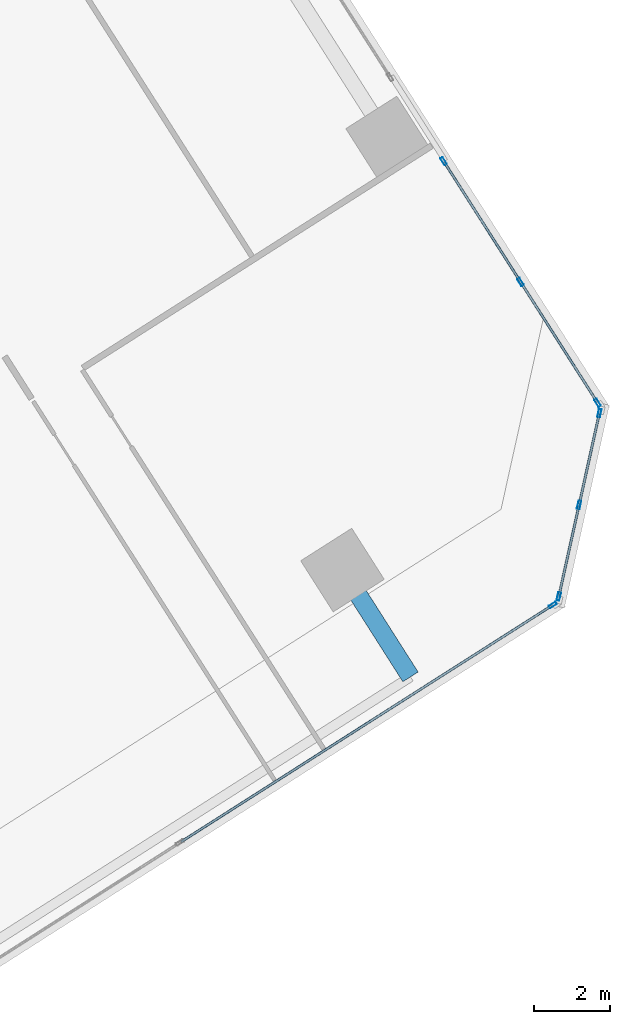
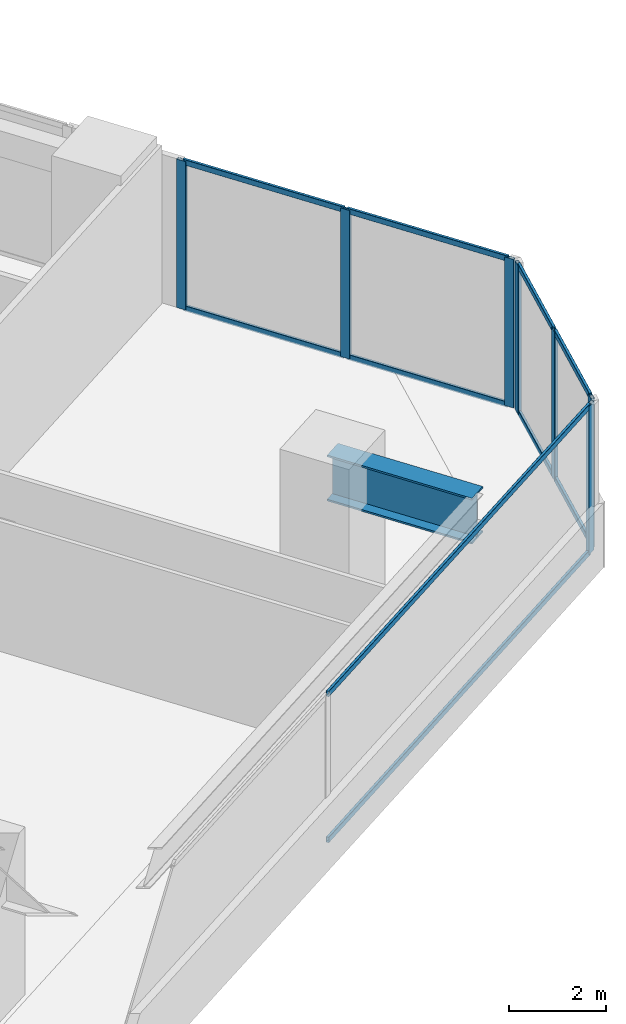
# One storey, part 6 of 15: 17 members, 1 beam, 3 elements without a shape of their own.
"""IFC4 building model written with IfcOpenShell, lengths in metres."""

import ifcopenshell
import ifcopenshell.guid

model = None  # the IFC model being written
_history = None  # IfcOwnerHistory: only IFC2X3 demands one
_inside = {}  # id of a spatial element -> (the spatial element, [elements in it])
_under = {}  # id of a project, library or spatial element -> (it, [spatial elements below it])
_declared = {}  # id of a project -> (the project, [libraries it declares])
_typed = {}  # id of a type object -> (the type object, [elements of that type])
_made_of = {}  # id of a material, layer set ... -> (it, [elements and type objects made of it])


def new_model(schema):
    """Start an empty IFC model of exactly this schema.

    Asked for "IFC4X3", IfcOpenShell would pick the latest addendum, in which some entities
    have other attributes; the version numbers below select the first issue.
    IFC2X3 requires an IfcOwnerHistory on every rooted entity: one is made here for all.
    """
    global model, _history
    if schema == "IFC4X3":
        model = ifcopenshell.file(schema_version=(4, 3, 0, 0))
    else:
        model = ifcopenshell.file(schema=schema)
    _inside.clear()
    _under.clear()
    _declared.clear()
    _typed.clear()
    _made_of.clear()
    _history = None
    if model.schema == "IFC2X3":
        org = make("IfcOrganization", Name="unknown")
        user = make(
            "IfcPersonAndOrganization",
            ThePerson=make("IfcPerson", FamilyName="unknown"),
            TheOrganization=org,
        )
        app = make(
            "IfcApplication",
            ApplicationDeveloper=org,
            Version="unknown",
            ApplicationFullName="unknown",
            ApplicationIdentifier="unknown",
        )
        _history = make(
            "IfcOwnerHistory",
            OwningUser=user,
            OwningApplication=app,
            ChangeAction="ADDED",
            CreationDate=0,
        )
    return model


def make(cls, **values):
    """One entity of the class cls with the attributes given. An attribute that is None is left unset."""
    return model.create_entity(
        cls, **{name: value for name, value in values.items() if value is not None}
    )


def rooted(cls, **values):
    """An entity with a GlobalId (a new one), such as an element, a storey or a relation."""
    return make(cls, GlobalId=ifcopenshell.guid.new(), OwnerHistory=_history, **values)


def si_unit(unit_type, name, prefix=None):
    """IfcSIUnit, for example si_unit("LENGTHUNIT", "METRE", prefix="MILLI")."""
    return make("IfcSIUnit", UnitType=unit_type, Prefix=prefix, Name=name)


def assignment(units):
    """IfcUnitAssignment: the units of a project."""
    return None if units is None else make("IfcUnitAssignment", Units=units)


def point(xyz):
    """IfcCartesianPoint."""
    return None if xyz is None else make("IfcCartesianPoint", Coordinates=xyz)


def direction(xyz):
    """IfcDirection."""
    return None if xyz is None else make("IfcDirection", DirectionRatios=xyz)


def frame(location, z_axis=None, x_axis=None):
    """IfcAxis2Placement3D, a coordinate frame: its origin and axes. An axis left out is left unset."""
    return make(
        "IfcAxis2Placement3D",
        Location=point(location),
        Axis=direction(z_axis),
        RefDirection=direction(x_axis),
    )


def frame_2d(location, x_axis=None):
    """IfcAxis2Placement2D, a coordinate frame in the plane: its origin and x axis."""
    return make(
        "IfcAxis2Placement2D", Location=point(location), RefDirection=direction(x_axis)
    )


def origin():
    """The frame at (0, 0, 0) with its axes left unset."""
    return frame((0.0, 0.0, 0.0))


def origin_2d():
    """The frame at (0, 0) in the plane with its x axis left unset."""
    return frame_2d((0.0, 0.0))


def place(relative_to, where):
    """IfcLocalPlacement: puts the frame where relative to a parent placement (None: the world)."""
    return make(
        "IfcLocalPlacement", PlacementRelTo=relative_to, RelativePlacement=where
    )


def context(
    kind, dimensions, precision=None, world=None, true_north=None, identifier=None
):
    """IfcGeometricRepresentationContext, for example the 3D "Model" context."""
    return make(
        "IfcGeometricRepresentationContext",
        ContextIdentifier=identifier,
        ContextType=kind,
        CoordinateSpaceDimension=dimensions,
        Precision=precision,
        WorldCoordinateSystem=world,
        TrueNorth=true_north,
    )


def subcontext(parent, identifier, kind, view, scale=None):
    """IfcGeometricRepresentationSubContext, for example "Body" below "Model"."""
    return make(
        "IfcGeometricRepresentationSubContext",
        ContextIdentifier=identifier,
        ContextType=kind,
        ParentContext=parent,
        TargetScale=scale,
        TargetView=view,
    )


def project(units=None, contexts=None):
    """IfcProject with its units and contexts."""
    return rooted(
        "IfcProject",
        Name="project",
        RepresentationContexts=contexts,
        UnitsInContext=assignment(units),
    )


def spatial(cls, under=None, at=None, **own):
    """A site, building, storey or space (cls), placed at a placement, below another one or the project."""
    s = rooted(cls, ObjectPlacement=at, **own)
    if under is not None:
        _under.setdefault(under.id(), (under, []))[1].append(s)
    return s


def profile(cls, at=None, kind="AREA", **sizes):
    """A parametric profile (cls). Its sizes go by their IFC names, for example OverallWidth=200.0."""
    return make(cls, ProfileType=kind, Position=at, **sizes)


def hollow_rectangle(**sizes):
    """IfcRectangleHollowProfileDef."""
    return profile("IfcRectangleHollowProfileDef", **sizes)


def i_section(**sizes):
    """IfcIShapeProfileDef."""
    return profile("IfcIShapeProfileDef", **sizes)


def extrude(swept, where, along, depth):
    """IfcExtrudedAreaSolid: the profile swept, set in the frame where, extruded along a direction by depth."""
    return make(
        "IfcExtrudedAreaSolid",
        SweptArea=swept,
        Position=where,
        ExtrudedDirection=direction(along),
        Depth=depth,
    )


def shape(context_of_items, identifier, shape_type, items):
    """IfcShapeRepresentation: the items that make up one representation, for example the "Body"."""
    return make(
        "IfcShapeRepresentation",
        ContextOfItems=context_of_items,
        RepresentationIdentifier=identifier,
        RepresentationType=shape_type,
        Items=items,
    )


def source(mapping_origin, context_of_items, identifier, shape_type, items):
    """IfcRepresentationMap: a shape defined once, which mapped items show again and again."""
    return make(
        "IfcRepresentationMap",
        MappingOrigin=mapping_origin,
        MappedRepresentation=shape(context_of_items, identifier, shape_type, items),
    )


def transform(
    local_origin,
    x_axis=None,
    y_axis=None,
    z_axis=None,
    scale=None,
    scale2=None,
    scale3=None,
    uniform=True,
):
    """IfcCartesianTransformationOperator3D, or its non-uniform kind. x_axis, y_axis, z_axis: its Axis1, 2, 3."""
    if uniform:
        return make(
            "IfcCartesianTransformationOperator3D",
            Axis1=direction(x_axis),
            Axis2=direction(y_axis),
            LocalOrigin=point(local_origin),
            Scale=scale,
            Axis3=direction(z_axis),
        )
    return make(
        "IfcCartesianTransformationOperator3DnonUniform",
        Axis1=direction(x_axis),
        Axis2=direction(y_axis),
        LocalOrigin=point(local_origin),
        Scale=scale,
        Axis3=direction(z_axis),
        Scale2=scale2,
        Scale3=scale3,
    )


def mapped(mapping_source, mapping_target):
    """IfcMappedItem: shows the shape of a source again, moved by a transform."""
    return make(
        "IfcMappedItem", MappingSource=mapping_source, MappingTarget=mapping_target
    )


def material(Name=None, Category=None):
    """IfcMaterial."""
    return make("IfcMaterial", Name=Name, Category=Category)


def material_profile(
    of_material, cross_section, Name=None, Category=None, Priority=None
):
    """IfcMaterialProfile: a cross section and its material."""
    return make(
        "IfcMaterialProfile",
        Name=Name,
        Material=of_material,
        Profile=cross_section,
        Priority=Priority,
        Category=Category,
    )


def profile_set(profiles, Name=None, composite=None):
    """IfcMaterialProfileSet."""
    return make(
        "IfcMaterialProfileSet",
        Name=Name,
        MaterialProfiles=profiles,
        CompositeProfile=composite,
    )


def made_of(thing, what):
    """Note that an element or type object is made of a material, layer set ...; save() writes the relation."""
    if what is not None:
        _made_of.setdefault(what.id(), (what, []))[1].append(thing)
    return thing


def type_object(cls, material=None, **own):
    """A type object (cls), such as IfcWallType, which elements share."""
    return made_of(rooted(cls, **own), material)


def element(
    cls,
    number,
    at=None,
    inside=None,
    cuts=None,
    type_object=None,
    material=None,
    context=None,
    identifier="Body",
    shape_type=None,
    held_by="IfcProductDefinitionShape",
    body=None,
    shapes=None,
    **own,
):
    """One element of the class cls, such as IfcWall. Its Tag is "e" and its number.

    at: its placement. inside: the storey or other place that contains it. cuts: it is an
    opening in that element (IfcRelVoidsElement). A single representation is given by context,
    identifier, shape_type and body (its items); several are given by shapes. held_by: the class
    of the entity that holds the representations. save() writes the other relations.
    """
    e = rooted(cls, Tag="e%d" % number, ObjectPlacement=at, **own)
    if body is not None:
        shapes = [shape(context, identifier, shape_type, body)]
    if shapes is not None:
        e.Representation = make(held_by, Representations=shapes)
    if inside is not None:
        _inside.setdefault(inside.id(), (inside, []))[1].append(e)
    if cuts is not None:
        rooted(
            "IfcRelVoidsElement", RelatingBuildingElement=cuts, RelatedOpeningElement=e
        )
    if type_object is not None:
        _typed.setdefault(type_object.id(), (type_object, []))[1].append(e)
    return made_of(e, material)


def aggregate(whole, parts):
    """IfcRelAggregates: a whole, such as a stair, and the parts it consists of."""
    return rooted("IfcRelAggregates", RelatingObject=whole, RelatedObjects=parts)


def save(model, path):
    """Write the relations noted so far, then the file.

    IfcRelAggregates (storeys below a building ...), IfcRelContainedInSpatialStructure (elements
    in a storey), IfcRelDefinesByType, IfcRelAssociatesMaterial and IfcRelDeclares: one each for
    every whole, place, type object, material and project.
    """
    for whole, parts in _under.values():
        aggregate(whole, parts)
    for where, things in _inside.values():
        rooted(
            "IfcRelContainedInSpatialStructure",
            RelatedElements=things,
            RelatingStructure=where,
        )
    for kind, things in _typed.values():
        rooted("IfcRelDefinesByType", RelatedObjects=things, RelatingType=kind)
    for what, things in _made_of.values():
        rooted("IfcRelAssociatesMaterial", RelatedObjects=things, RelatingMaterial=what)
    for by, libraries in _declared.values():
        rooted("IfcRelDeclares", RelatingContext=by, RelatedDefinitions=libraries)
    model.write(path)


model = new_model("IFC4")

# Units and contexts
model_context = context("Model", 3, precision=1e-05, world=origin(), true_north=direction((0.0, 1.0)))
body_context = subcontext(model_context, "Body", "Model", "MODEL_VIEW")
ifc_project = project(units=[si_unit("LENGTHUNIT", "METRE"), si_unit("AREAUNIT", "SQUARE_METRE"), si_unit("VOLUMEUNIT", "CUBIC_METRE"), si_unit("PLANEANGLEUNIT", "RADIAN"), si_unit("MASSUNIT", "GRAM", prefix="KILO")], contexts=[model_context])

# Site, building, storey
site_placement = place(None, origin())
site = spatial("IfcSite", under=ifc_project, at=site_placement, CompositionType="ELEMENT")
building_placement = place(site_placement, origin())
building = spatial("IfcBuilding", under=site, at=building_placement, Name="Torre Montelarca", CompositionType="ELEMENT")
storey_placement = place(building_placement, frame((0.0, 0.0, 307.199951171875)))
storey = spatial("IfcBuildingStorey", under=building, at=storey_placement, Name="L69", CompositionType="ELEMENT", Elevation=307.199951171875)

# Beam
ifc_material_1 = material(Name="Steel ASTM A572 Grade 50", Category="steel")
ifc_material_profile_1 = material_profile(ifc_material_1, i_section(OverallWidth=0.47998046875, OverallDepth=1.14990234375, WebThickness=0.02197265625, FlangeThickness=0.044921875, at=origin_2d()), Name="PG1150X480X22X45", Category="steel")
ifc_profile_set_1 = profile_set([ifc_material_profile_1], Name="Steel ASTM A572 Grade 50")
beam_type = type_object("IfcBeamType", Name="BM-CG-PG1400-EXT", PredefinedType="USERDEFINED", material=ifc_profile_set_1)
shared_shape_1 = source(origin(), body_context, "Body", "SweptSolid", [
    extrude(i_section(OverallWidth=0.47998046875, OverallDepth=1.14990234375, WebThickness=0.02197265625, FlangeThickness=0.044921875, at=origin_2d()), origin(), (0.0, 0.0, 1.0), 3.349853515625),
])
beam_placement = place(storey_placement, frame((36.0380859375, 24.069091796875, 3.385009765625), z_axis=(0.537290429262, -0.843397293465, 0.0), x_axis=(0.843397293465, 0.537290429262, 0.0)))
element("IfcBeam", 1, at=beam_placement, inside=storey, type_object=beam_type, Name="L69 Sliding Tray Cantilever Girder East Y=40m (FLR)", ObjectType="CANTILEVER GIRDER", PredefinedType="USERDEFINED", context=body_context, shape_type="MappedRepresentation", body=[
    mapped(shared_shape_1, transform((0.0, 0.0, 0.0), scale=1.0)),
])

# Curtain wall, member
ifc_material_2 = material(Name="Insulated low-E laminated glass", Category="glass")
curtain_wall_type = type_object("IfcCurtainWallType", Name="CW-SYS-Z4", PredefinedType="USERDEFINED", material=ifc_material_2)
curtain_wall_1_placement = place(storey_placement, origin())
curtain_wall_1 = element("IfcCurtainWall", 2, at=curtain_wall_1_placement, inside=storey, type_object=curtain_wall_type, Name="L69 Curtain Wall Run CW-T3-L69-E06-B1", ObjectType="UNITISED GLAZING", PredefinedType="USERDEFINED")
ifc_material_3 = material(Name="Anodised aluminium AA 6063-T6", Category="aluminium")
ifc_material_profile_2 = material_profile(ifc_material_3, hollow_rectangle(XDim=0.074951171875, YDim=0.219970703125, WallThickness=0.0048828125, InnerFilletRadius=0.0048828125, OuterFilletRadius=0.010009765625, at=origin_2d()), Name="ALU75X220X5", Category="aluminium")
ifc_profile_set_2 = profile_set([ifc_material_profile_2], Name="Anodised aluminium AA 6063-T6")
member_type_1 = type_object("IfcMemberType", Name="CWM-ALU220", PredefinedType="MULLION", material=ifc_profile_set_2)
shared_shape_2 = source(origin(), body_context, "Body", "SweptSolid", [
    extrude(hollow_rectangle(XDim=0.074951171875, YDim=0.219970703125, WallThickness=0.0048828125, InnerFilletRadius=0.0048828125, OuterFilletRadius=0.010009765625, at=origin_2d()), origin(), (0.0, 0.0, 1.0), 3.719970703125),
])
member_1_placement = place(storey_placement, frame((41.60302734375, 23.14453125, 0.0), z_axis=(0.0, 0.0, 1.0), x_axis=(-0.537301679311, 0.84339012646, 0.0)))
member_1 = element("IfcMember", 3, at=member_1_placement, type_object=member_type_1, Name="CW mullion 3", PredefinedType="MULLION", context=body_context, shape_type="MappedRepresentation", body=[
    mapped(shared_shape_2, transform((0.0, 0.0, 0.0), scale=1.0)),
])

# Curtain wall, members
curtain_wall_2_placement = place(storey_placement, origin())
curtain_wall_2 = element("IfcCurtainWall", 4, at=curtain_wall_2_placement, inside=storey, type_object=curtain_wall_type, Name="L69 Curtain Wall Run CW-T3-L69-E07-B1", ObjectType="UNITISED GLAZING", PredefinedType="USERDEFINED")
member_2_placement = place(storey_placement, frame((41.761474609375, 23.37060546875, 0.0), z_axis=(0.0, 0.0, 1.0), x_axis=(-0.976295196425, 0.216443270716, 0.0)))
member_2 = element("IfcMember", 5, at=member_2_placement, type_object=member_type_1, Name="CW mullion 1", PredefinedType="MULLION", context=body_context, shape_type="MappedRepresentation", body=[
    mapped(shared_shape_2, transform((0.0, 0.0, 0.0), scale=1.0)),
])
member_3_placement = place(storey_placement, frame((42.299072265625, 25.795654296875, 0.0), z_axis=(0.0, 0.0, 1.0), x_axis=(-0.976295196425, 0.216443270716, 0.0)))
member_3 = element("IfcMember", 6, at=member_3_placement, type_object=member_type_1, Name="CW mullion 2", PredefinedType="MULLION", context=body_context, shape_type="MappedRepresentation", body=[
    mapped(shared_shape_2, transform((0.0, 0.0, 0.0), scale=1.0)),
])
member_4_placement = place(storey_placement, frame((42.836669921875, 28.220458984375, 0.0), z_axis=(0.0, 0.0, 1.0), x_axis=(-0.976295196425, 0.216443270716, 0.0)))
member_4 = element("IfcMember", 7, at=member_4_placement, type_object=member_type_1, Name="CW mullion 3", PredefinedType="MULLION", context=body_context, shape_type="MappedRepresentation", body=[
    mapped(shared_shape_2, transform((0.0, 0.0, 0.0), scale=1.0)),
])

curtain_wall_3_placement = place(storey_placement, origin())
curtain_wall_3 = element("IfcCurtainWall", 8, at=curtain_wall_3_placement, inside=storey, type_object=curtain_wall_type, Name="L69 Curtain Wall Run CW-T3-L69-E08-B1", ObjectType="UNITISED GLAZING", PredefinedType="USERDEFINED")
member_5_placement = place(storey_placement, frame((42.78857421875, 28.492431640625, 0.0), z_axis=(0.0, 0.0, 1.0), x_axis=(-0.8433918643, -0.537298951454, 0.0)))
member_5 = element("IfcMember", 9, at=member_5_placement, type_object=member_type_1, Name="CW mullion 1", PredefinedType="MULLION", context=body_context, shape_type="MappedRepresentation", body=[
    mapped(shared_shape_2, transform((0.0, 0.0, 0.0), scale=1.0)),
])
member_6_placement = place(storey_placement, frame((40.75244140625, 31.6884765625, 0.0), z_axis=(0.0, 0.0, 1.0), x_axis=(-0.8433918643, -0.537298951454, 0.0)))
member_6 = element("IfcMember", 10, at=member_6_placement, type_object=member_type_1, Name="CW mullion 2", PredefinedType="MULLION", context=body_context, shape_type="MappedRepresentation", body=[
    mapped(shared_shape_2, transform((0.0, 0.0, 0.0), scale=1.0)),
])
member_7_placement = place(storey_placement, frame((38.71630859375, 34.884521484375, 0.0), z_axis=(0.0, 0.0, 1.0), x_axis=(-0.8433918643, -0.537298951454, 0.0)))
member_7 = element("IfcMember", 11, at=member_7_placement, type_object=member_type_1, Name="CW mullion 3", PredefinedType="MULLION", context=body_context, shape_type="MappedRepresentation", body=[
    mapped(shared_shape_2, transform((0.0, 0.0, 0.0), scale=1.0)),
])

# Member
ifc_material_profile_3 = material_profile(ifc_material_3, hollow_rectangle(XDim=0.06494140625, YDim=0.139892578125, WallThickness=0.00390625, InnerFilletRadius=0.00390625, OuterFilletRadius=0.008056640625, at=origin_2d()), Name="ALU65X140X4", Category="aluminium")
ifc_profile_set_3 = profile_set([ifc_material_profile_3], Name="Anodised aluminium AA 6063-T6")
member_type_2 = type_object("IfcMemberType", Name="CWT-ALU140", PredefinedType="USERDEFINED", material=ifc_profile_set_3)
shared_shape_3 = source(origin(), body_context, "Body", "SweptSolid", [
    extrude(hollow_rectangle(XDim=0.06494140625, YDim=0.139892578125, WallThickness=0.00390625, InnerFilletRadius=0.00390625, OuterFilletRadius=0.008056640625, at=origin_2d()), origin(), (0.0, 0.0, 1.0), 2.40869140625),
])
member_8_placement = place(storey_placement, frame((42.30712890625, 25.832275390625, 0.032470703125), z_axis=(0.216404544516, 0.976303781163, 0.0), x_axis=(-0.976303781163, 0.216404544516, 0.0)))
member_8 = element("IfcMember", 12, at=member_8_placement, type_object=member_type_2, Name="CW transom 2.1", ObjectType="TRANSOM", PredefinedType="USERDEFINED", context=body_context, shape_type="MappedRepresentation", body=[
    mapped(shared_shape_3, transform((0.0, 0.0, 0.0), scale=1.0)),
])

member_9_placement = place(storey_placement, frame((42.30712890625, 25.832275390625, 3.6875), z_axis=(0.216404544516, 0.976303781163, 0.0), x_axis=(-0.976303781163, 0.216404544516, 0.0)))
member_9 = element("IfcMember", 13, at=member_9_placement, type_object=member_type_2, Name="CW transom 2.2", ObjectType="TRANSOM", PredefinedType="USERDEFINED", context=body_context, shape_type="MappedRepresentation", body=[
    mapped(shared_shape_3, transform((0.0, 0.0, 0.0), scale=1.0)),
])

shared_shape_4 = source(origin(), body_context, "Body", "SweptSolid", [
    extrude(hollow_rectangle(XDim=0.06494140625, YDim=0.139892578125, WallThickness=0.00390625, InnerFilletRadius=0.00390625, OuterFilletRadius=0.008056640625, at=origin_2d()), origin(), (0.0, 0.0, 1.0), 11.621826171875),
])
member_10_placement = place(storey_placement, frame((31.769775390625, 16.880126953125, 0.032470703125), z_axis=(0.843392367588, 0.537298161447, 0.0), x_axis=(-0.537298161447, 0.843392367588, 0.0)))
member_10 = element("IfcMember", 14, at=member_10_placement, type_object=member_type_2, Name="CW transom 2.1", ObjectType="TRANSOM", PredefinedType="USERDEFINED", context=body_context, shape_type="MappedRepresentation", body=[
    mapped(shared_shape_4, transform((0.0, 0.0, 0.0), scale=1.0)),
])

member_11_placement = place(storey_placement, frame((31.769775390625, 16.880126953125, 3.6875), z_axis=(0.843392367588, 0.537298161447, 0.0), x_axis=(-0.537298161447, 0.843392367588, 0.0)))
member_11 = element("IfcMember", 15, at=member_11_placement, type_object=member_type_2, Name="CW transom 2.2", ObjectType="TRANSOM", PredefinedType="USERDEFINED", context=body_context, shape_type="MappedRepresentation", body=[
    mapped(shared_shape_4, transform((0.0, 0.0, 0.0), scale=1.0)),
])

aggregate(curtain_wall_1, [member_1, member_10, member_11])

shared_shape_5 = source(origin(), body_context, "Body", "SweptSolid", [
    extrude(hollow_rectangle(XDim=0.06494140625, YDim=0.139892578125, WallThickness=0.00390625, InnerFilletRadius=0.00390625, OuterFilletRadius=0.008056640625, at=origin_2d()), origin(), (0.0, 0.0, 1.0), 2.408935546875),
])
member_12_placement = place(storey_placement, frame((41.76953125, 23.4072265625, 0.032470703125), z_axis=(0.216383131496, 0.976308527262, 0.0), x_axis=(-0.976308527262, 0.216383131496, 0.0)))
member_12 = element("IfcMember", 16, at=member_12_placement, type_object=member_type_2, Name="CW transom 1.1", ObjectType="TRANSOM", PredefinedType="USERDEFINED", context=body_context, shape_type="MappedRepresentation", body=[
    mapped(shared_shape_5, transform((0.0, 0.0, 0.0), scale=1.0)),
])

member_13_placement = place(storey_placement, frame((41.76953125, 23.4072265625, 3.6875), z_axis=(0.216383131496, 0.976308527262, 0.0), x_axis=(-0.976308527262, 0.216383131496, 0.0)))
member_13 = element("IfcMember", 17, at=member_13_placement, type_object=member_type_2, Name="CW transom 1.2", ObjectType="TRANSOM", PredefinedType="USERDEFINED", context=body_context, shape_type="MappedRepresentation", body=[
    mapped(shared_shape_5, transform((0.0, 0.0, 0.0), scale=1.0)),
])

aggregate(curtain_wall_2, [member_2, member_3, member_4, member_12, member_13, member_8, member_9])

shared_shape_6 = source(origin(), body_context, "Body", "SweptSolid", [
    extrude(hollow_rectangle(XDim=0.06494140625, YDim=0.139892578125, WallThickness=0.00390625, InnerFilletRadius=0.00390625, OuterFilletRadius=0.008056640625, at=origin_2d()), origin(), (0.0, 0.0, 1.0), 3.714599609375),
])
member_14_placement = place(storey_placement, frame((42.7685546875, 28.52392578125, 0.032470703125), z_axis=(-0.53730495728, 0.843388038143, 0.0), x_axis=(-0.843388038143, -0.53730495728, 0.0)))
member_14 = element("IfcMember", 18, at=member_14_placement, type_object=member_type_2, Name="CW transom 1.1", ObjectType="TRANSOM", PredefinedType="USERDEFINED", context=body_context, shape_type="MappedRepresentation", body=[
    mapped(shared_shape_6, transform((0.0, 0.0, 0.0), scale=1.0)),
])

member_15_placement = place(storey_placement, frame((42.7685546875, 28.52392578125, 3.6875), z_axis=(-0.53730495728, 0.843388038143, 0.0), x_axis=(-0.843388038143, -0.53730495728, 0.0)))
member_15 = element("IfcMember", 19, at=member_15_placement, type_object=member_type_2, Name="CW transom 1.2", ObjectType="TRANSOM", PredefinedType="USERDEFINED", context=body_context, shape_type="MappedRepresentation", body=[
    mapped(shared_shape_6, transform((0.0, 0.0, 0.0), scale=1.0)),
])

shared_shape_7 = source(origin(), body_context, "Body", "SweptSolid", [
    extrude(hollow_rectangle(XDim=0.06494140625, YDim=0.139892578125, WallThickness=0.00390625, InnerFilletRadius=0.00390625, OuterFilletRadius=0.008056640625, at=origin_2d()), origin(), (0.0, 0.0, 1.0), 3.71484375),
])
member_16_placement = place(storey_placement, frame((40.732421875, 31.719970703125, 0.032470703125), z_axis=(-0.537275174709, 0.843407011259, 0.0), x_axis=(-0.843407011259, -0.537275174709, 0.0)))
member_16 = element("IfcMember", 20, at=member_16_placement, type_object=member_type_2, Name="CW transom 2.1", ObjectType="TRANSOM", PredefinedType="USERDEFINED", context=body_context, shape_type="MappedRepresentation", body=[
    mapped(shared_shape_7, transform((0.0, 0.0, 0.0), scale=1.0)),
])

member_17_placement = place(storey_placement, frame((40.732421875, 31.719970703125, 3.6875), z_axis=(-0.537275174709, 0.843407011259, 0.0), x_axis=(-0.843407011259, -0.537275174709, 0.0)))
member_17 = element("IfcMember", 21, at=member_17_placement, type_object=member_type_2, Name="CW transom 2.2", ObjectType="TRANSOM", PredefinedType="USERDEFINED", context=body_context, shape_type="MappedRepresentation", body=[
    mapped(shared_shape_7, transform((0.0, 0.0, 0.0), scale=1.0)),
])

aggregate(curtain_wall_3, [member_5, member_6, member_7, member_14, member_15, member_16, member_17])

save(model, "model.ifc")
